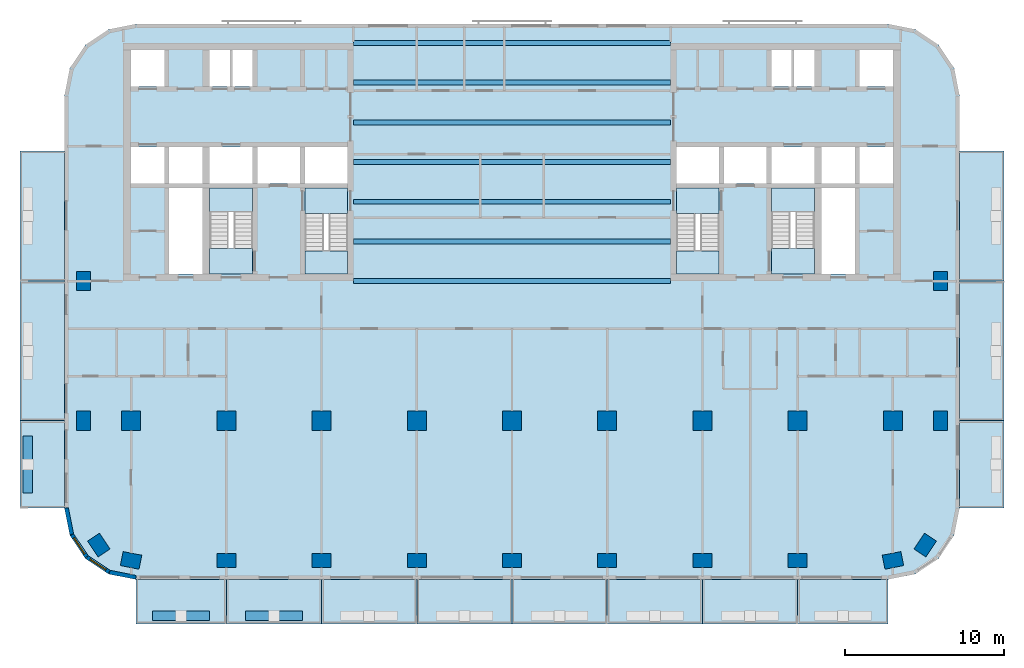
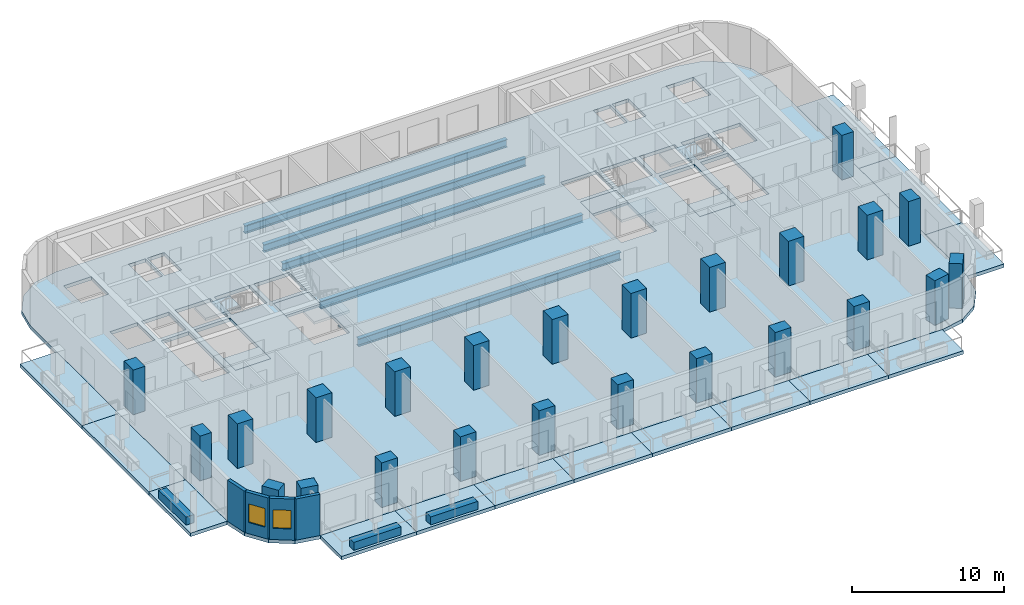
# One storey, part 1 of 12: 24 columns, 23 slabs, 7 beams, 7 walls, 2 windows, 2 openings, 4 elements without a shape of their own.
"""IFC4 building model written with IfcOpenShell, lengths in metres."""

from ifc_helpers import new_model, si_unit, direction, frame, frame_2d, origin, origin_2d, place, context, subcontext, project, spatial, polyline, rectangle, i_section, outline, extrude, material, layer, layer_set, material_profile, profile_set, type_object, element, fill, aggregate, save


model = new_model("IFC4")

# Units and contexts
model_context = context("Model", 3, precision=1e-05, world=origin(), true_north=direction((0.0, 1.0)))
body_context = subcontext(model_context, "Body", "Model", "MODEL_VIEW")
ifc_project = project(units=[si_unit("LENGTHUNIT", "METRE"), si_unit("AREAUNIT", "SQUARE_METRE"), si_unit("VOLUMEUNIT", "CUBIC_METRE"), si_unit("PLANEANGLEUNIT", "RADIAN"), si_unit("MASSUNIT", "GRAM", prefix="KILO")], contexts=[model_context])

# Site, building, storey
site_placement = place(None, origin())
site = spatial("IfcSite", under=ifc_project, at=site_placement, CompositionType="ELEMENT")
building_placement = place(site_placement, origin())
building = spatial("IfcBuilding", under=site, at=building_placement, Name="Torana Hotel and Residences", CompositionType="ELEMENT")
storey_placement = place(building_placement, frame((0.0, 0.0, 156.0)))
storey = spatial("IfcBuildingStorey", under=building, at=storey_placement, Name="L40", CompositionType="ELEMENT", Elevation=156.0)

# Columns
ifc_material_1 = material(Name="Concrete C70/85", Category="concrete")
ifc_material_profile_1 = material_profile(ifc_material_1, rectangle(XDim=1.199951171875, YDim=1.199951171875, at=origin_2d()), Name="RC 1200x1200")
ifc_profile_set_1 = profile_set([ifc_material_profile_1], Name="Concrete C70/85")
column_type_1 = type_object("IfcColumnType", Name="COLUMN RC 1200x1200 C70/85", PredefinedType="COLUMN", material=ifc_profile_set_1)
for number, where, z_axis, x_axis, name in (
    (1, (-24.0, -23.800048828125, 0.0), (0.0, 0.0, 1.0), (1.0, 0.0, 0.0), "Column L40"),
    (2, (-18.0, -23.800048828125, 0.0), (0.0, 0.0, 1.0), (1.0, 0.0, 0.0), "Column L40"),
    (3, (-12.0, -23.800048828125, 0.0), (0.0, 0.0, 1.0), (1.0, 0.0, 0.0), "Column L40"),
    (4, (-6.0, -23.800048828125, 0.0), (0.0, 0.0, 1.0), (1.0, 0.0, 0.0), "Column L40"),
    (5, (0.0, -23.800048828125, 0.0), (0.0, 0.0, 1.0), (1.0, 0.0, 0.0), "Column L40"),
    (6, (6.0, -23.800048828125, 0.0), (0.0, 0.0, 1.0), (1.0, 0.0, 0.0), "Column L40"),
    (7, (12.0, -23.800048828125, 0.0), (0.0, 0.0, 1.0), (1.0, 0.0, 0.0), "Column L40"),
    (8, (18.0, -23.800048828125, 0.0), (0.0, 0.0, 1.0), (1.0, 0.0, 0.0), "Column L40"),
    (9, (24.0, -23.800048828125, 0.0), (0.0, 0.0, 1.0), (1.0, 0.0, 0.0), "Column L40"),
):
    element("IfcColumn", number, at=place(storey_placement, frame(where, z_axis=z_axis, x_axis=x_axis)), inside=storey, type_object=column_type_1, Name=name, PredefinedType="COLUMN", context=body_context, shape_type="SweptSolid", body=[
        extrude(rectangle(XDim=1.199951171875, YDim=1.199951171875, at=origin_2d()), origin(), (0.0, 0.0, 1.0), 3.60009765625),
    ])
ifc_material_2 = material(Name="Concrete C70/85", Category="concrete")
ifc_material_profile_2 = material_profile(ifc_material_2, rectangle(XDim=1.199951171875, YDim=0.89990234375, at=origin_2d()), Name="RC 1200x900")
ifc_profile_set_2 = profile_set([ifc_material_profile_2], Name="Concrete C70/85")
column_type_2 = type_object("IfcColumnType", Name="COLUMN RC 1200x900 C70/85", PredefinedType="COLUMN", material=ifc_profile_set_2)
for number, where, z_axis, x_axis, name in (
    (10, (-27.0, -23.800048828125, 0.0), (0.0, 0.0, 1.0), (0.0, 1.0, 0.0), "Column L40"),
    (11, (-27.0, -15.0, 0.0), (0.0, 0.0, 1.0), (0.0, 1.0, 0.0), "Column L40"),
    (12, (-26.032958984375, -31.633056640625, 0.0), (0.0, 0.0, 1.0), (-0.555584744817, 0.831459915646, 0.0), "Column L40"),
    (13, (-24.0, -32.60009765625, 0.0), (0.0, 0.0, 1.0), (-0.980792089743, 0.195056086032, 0.0), "Column L40"),
    (14, (-18.0, -32.60009765625, 0.0), (0.0, 0.0, 1.0), (1.0, 0.0, 0.0), "Column L40"),
    (15, (-12.0, -32.60009765625, 0.0), (0.0, 0.0, 1.0), (1.0, 0.0, 0.0), "Column L40"),
    (16, (-6.0, -32.60009765625, 0.0), (0.0, 0.0, 1.0), (1.0, 0.0, 0.0), "Column L40"),
    (17, (0.0, -32.60009765625, 0.0), (0.0, 0.0, 1.0), (1.0, 0.0, 0.0), "Column L40"),
    (18, (6.0, -32.60009765625, 0.0), (0.0, 0.0, 1.0), (1.0, 0.0, 0.0), "Column L40"),
    (19, (12.0, -32.60009765625, 0.0), (0.0, 0.0, 1.0), (1.0, 0.0, 0.0), "Column L40"),
    (20, (18.0, -32.60009765625, 0.0), (0.0, 0.0, 1.0), (1.0, 0.0, 0.0), "Column L40"),
    (21, (24.0, -32.60009765625, 0.0), (0.0, 0.0, 1.0), (0.980792089743, 0.195056086032, 0.0), "Column L40"),
    (22, (26.032958984375, -31.633056640625, 0.0), (0.0, 0.0, 1.0), (0.555584744817, 0.831459915646, 0.0), "Column L40"),
    (23, (27.0, -23.800048828125, 0.0), (0.0, 0.0, 1.0), (0.0, 1.0, 0.0), "Column L40"),
    (24, (27.0, -15.0, 0.0), (0.0, 0.0, 1.0), (0.0, 1.0, 0.0), "Column L40"),
):
    element("IfcColumn", number, at=place(storey_placement, frame(where, z_axis=z_axis, x_axis=x_axis)), inside=storey, type_object=column_type_2, Name=name, PredefinedType="COLUMN", context=body_context, shape_type="SweptSolid", body=[
        extrude(rectangle(XDim=1.199951171875, YDim=0.89990234375, at=origin_2d()), origin(), (0.0, 0.0, 1.0), 3.60009765625),
    ])

# Beams
ifc_material_3 = material(Name="Steel S355", Category="steel")
ifc_material_profile_3 = material_profile(ifc_material_3, i_section(OverallWidth=0.311279296875, OverallDepth=0.6357421875, WebThickness=0.018310546875, FlangeThickness=0.031494140625, FilletRadius=0.0166015625, at=origin_2d()), Name="610x305x238 UB")
ifc_profile_set_3 = profile_set([ifc_material_profile_3], Name="Steel S355")
beam_type = type_object("IfcBeamType", Name="STEEL GIRDER 610x305x238 UB", PredefinedType="BEAM", material=ifc_profile_set_3)
for number, where, z_axis, x_axis, name in (
    (25, (-10.0, -15.0, -0.597900390625), (1.0, 0.0, 0.0), (0.0, 1.0, 0.0), "Floor girder"),
    (26, (-10.0, -12.5, -0.597900390625), (1.0, 0.0, 0.0), (0.0, 1.0, 0.0), "Floor girder"),
    (27, (-10.0, -10.0, -0.597900390625), (1.0, 0.0, 0.0), (0.0, 1.0, 0.0), "Floor girder"),
    (28, (-10.0, -7.5, -0.597900390625), (1.0, 0.0, 0.0), (0.0, 1.0, 0.0), "Floor girder"),
    (29, (-10.0, -5.0, -0.597900390625), (1.0, 0.0, 0.0), (0.0, 1.0, 0.0), "Floor girder"),
    (30, (-10.0, -2.5, -0.597900390625), (1.0, 0.0, 0.0), (0.0, 1.0, 0.0), "Floor girder"),
    (31, (-10.0, 0.0, -0.597900390625), (1.0, 0.0, 0.0), (0.0, 1.0, 0.0), "Floor girder"),
):
    element("IfcBeam", number, at=place(storey_placement, frame(where, z_axis=z_axis, x_axis=x_axis)), inside=storey, type_object=beam_type, Name=name, PredefinedType="BEAM", context=body_context, shape_type="SweptSolid", body=[
        extrude(i_section(OverallWidth=0.311279296875, OverallDepth=0.6357421875, WebThickness=0.018310546875, FlangeThickness=0.031494140625, FilletRadius=0.0166015625, at=origin_2d()), origin(), (0.0, 0.0, 1.0), 20.0),
    ])

# Slabs
ifc_material_4 = material(Name="Concrete C40/50", Category="concrete")
ifc_layer_1 = layer(ifc_material_4, 0.280029296875)
ifc_layer_set_1 = layer_set([ifc_layer_1], Name="BAL1 BALCONY SLAB 280")
slab_type_1 = type_object("IfcSlabType", Name="BAL1 BALCONY SLAB 280", PredefinedType="USERDEFINED", material=ifc_layer_set_1)
slab_1_placement = place(storey_placement, frame((0.0, 0.0, -0.280029296875)))
element("IfcSlab", 32, at=slab_1_placement, inside=storey, type_object=slab_type_1, Name="Balcony 01", ObjectType="BALCONY", PredefinedType="USERDEFINED", context=body_context, shape_type="SweptSolid", body=[
    extrude(outline(polyline([(-23.699951171875, -36.60009765625), (-18.0, -36.60009765625), (-18.0, -33.800048828125), (-23.699951171875, -33.800048828125), (-23.699951171875, -36.60009765625)])), origin(), (0.0, 0.0, 1.0), 0.280029296875),
])
slab_2_placement = place(storey_placement, frame((0.0, 0.0, -0.280029296875)))
element("IfcSlab", 33, at=slab_2_placement, inside=storey, type_object=slab_type_1, Name="Balcony 02", ObjectType="BALCONY", PredefinedType="USERDEFINED", context=body_context, shape_type="SweptSolid", body=[
    extrude(outline(polyline([(-18.0, -36.60009765625), (-12.0, -36.60009765625), (-12.0, -33.800048828125), (-18.0, -33.800048828125), (-18.0, -36.60009765625)])), origin(), (0.0, 0.0, 1.0), 0.280029296875),
])
slab_3_placement = place(storey_placement, frame((0.0, 0.0, -0.280029296875)))
element("IfcSlab", 34, at=slab_3_placement, inside=storey, type_object=slab_type_1, Name="Balcony 03", ObjectType="BALCONY", PredefinedType="USERDEFINED", context=body_context, shape_type="SweptSolid", body=[
    extrude(outline(polyline([(-12.0, -36.60009765625), (-6.0, -36.60009765625), (-6.0, -33.800048828125), (-12.0, -33.800048828125), (-12.0, -36.60009765625)])), origin(), (0.0, 0.0, 1.0), 0.280029296875),
])
slab_4_placement = place(storey_placement, frame((0.0, 0.0, -0.280029296875)))
element("IfcSlab", 35, at=slab_4_placement, inside=storey, type_object=slab_type_1, Name="Balcony 04", ObjectType="BALCONY", PredefinedType="USERDEFINED", context=body_context, shape_type="SweptSolid", body=[
    extrude(outline(polyline([(-6.0, -36.60009765625), (0.0, -36.60009765625), (0.0, -33.800048828125), (-6.0, -33.800048828125), (-6.0, -36.60009765625)])), origin(), (0.0, 0.0, 1.0), 0.280029296875),
])
slab_5_placement = place(storey_placement, frame((0.0, 0.0, -0.280029296875)))
element("IfcSlab", 36, at=slab_5_placement, inside=storey, type_object=slab_type_1, Name="Balcony 05", ObjectType="BALCONY", PredefinedType="USERDEFINED", context=body_context, shape_type="SweptSolid", body=[
    extrude(outline(polyline([(0.0, -36.60009765625), (6.0, -36.60009765625), (6.0, -33.800048828125), (0.0, -33.800048828125), (0.0, -36.60009765625)])), origin(), (0.0, 0.0, 1.0), 0.280029296875),
])
slab_6_placement = place(storey_placement, frame((0.0, 0.0, -0.280029296875)))
element("IfcSlab", 37, at=slab_6_placement, inside=storey, type_object=slab_type_1, Name="Balcony 06", ObjectType="BALCONY", PredefinedType="USERDEFINED", context=body_context, shape_type="SweptSolid", body=[
    extrude(outline(polyline([(6.0, -36.60009765625), (12.0, -36.60009765625), (12.0, -33.800048828125), (6.0, -33.800048828125), (6.0, -36.60009765625)])), origin(), (0.0, 0.0, 1.0), 0.280029296875),
])
slab_7_placement = place(storey_placement, frame((0.0, 0.0, -0.280029296875)))
element("IfcSlab", 38, at=slab_7_placement, inside=storey, type_object=slab_type_1, Name="Balcony 07", ObjectType="BALCONY", PredefinedType="USERDEFINED", context=body_context, shape_type="SweptSolid", body=[
    extrude(outline(polyline([(12.0, -36.60009765625), (18.0, -36.60009765625), (18.0, -33.800048828125), (12.0, -33.800048828125), (12.0, -36.60009765625)])), origin(), (0.0, 0.0, 1.0), 0.280029296875),
])
slab_8_placement = place(storey_placement, frame((0.0, 0.0, -0.280029296875)))
element("IfcSlab", 39, at=slab_8_placement, inside=storey, type_object=slab_type_1, Name="Balcony 08", ObjectType="BALCONY", PredefinedType="USERDEFINED", context=body_context, shape_type="SweptSolid", body=[
    extrude(outline(polyline([(18.0, -36.60009765625), (23.699951171875, -36.60009765625), (23.699951171875, -33.800048828125), (18.0, -33.800048828125), (18.0, -36.60009765625)])), origin(), (0.0, 0.0, 1.0), 0.280029296875),
])
slab_9_placement = place(storey_placement, frame((0.0, 0.0, -0.280029296875)))
element("IfcSlab", 40, at=slab_9_placement, inside=storey, type_object=slab_type_1, Name="Balcony 09", ObjectType="BALCONY", PredefinedType="USERDEFINED", context=body_context, shape_type="SweptSolid", body=[
    extrude(outline(polyline([(-31.0, -29.300048828125), (-28.199951171875, -29.300048828125), (-28.199951171875, -23.800048828125), (-31.0, -23.800048828125), (-31.0, -29.300048828125)])), origin(), (0.0, 0.0, 1.0), 0.280029296875),
])
slab_10_placement = place(storey_placement, frame((0.0, 0.0, -0.280029296875)))
element("IfcSlab", 41, at=slab_10_placement, inside=storey, type_object=slab_type_1, Name="Balcony 10", ObjectType="BALCONY", PredefinedType="USERDEFINED", context=body_context, shape_type="SweptSolid", body=[
    extrude(outline(polyline([(-31.0, -23.800048828125), (-28.199951171875, -23.800048828125), (-28.199951171875, -15.0), (-31.0, -15.0), (-31.0, -23.800048828125)])), origin(), (0.0, 0.0, 1.0), 0.280029296875),
])
slab_11_placement = place(storey_placement, frame((0.0, 0.0, -0.280029296875)))
element("IfcSlab", 42, at=slab_11_placement, inside=storey, type_object=slab_type_1, Name="Balcony 11", ObjectType="BALCONY", PredefinedType="USERDEFINED", context=body_context, shape_type="SweptSolid", body=[
    extrude(outline(polyline([(-31.0, -15.0), (-28.199951171875, -15.0), (-28.199951171875, -6.800048828125), (-31.0, -6.800048828125), (-31.0, -15.0)])), origin(), (0.0, 0.0, 1.0), 0.280029296875),
])
slab_12_placement = place(storey_placement, frame((0.0, 0.0, -0.280029296875)))
element("IfcSlab", 43, at=slab_12_placement, inside=storey, type_object=slab_type_1, Name="Balcony 12", ObjectType="BALCONY", PredefinedType="USERDEFINED", context=body_context, shape_type="SweptSolid", body=[
    extrude(outline(polyline([(28.199951171875, -29.300048828125), (31.0, -29.300048828125), (31.0, -23.800048828125), (28.199951171875, -23.800048828125), (28.199951171875, -29.300048828125)])), origin(), (0.0, 0.0, 1.0), 0.280029296875),
])
slab_13_placement = place(storey_placement, frame((0.0, 0.0, -0.280029296875)))
element("IfcSlab", 44, at=slab_13_placement, inside=storey, type_object=slab_type_1, Name="Balcony 13", ObjectType="BALCONY", PredefinedType="USERDEFINED", context=body_context, shape_type="SweptSolid", body=[
    extrude(outline(polyline([(28.199951171875, -23.800048828125), (31.0, -23.800048828125), (31.0, -15.0), (28.199951171875, -15.0), (28.199951171875, -23.800048828125)])), origin(), (0.0, 0.0, 1.0), 0.280029296875),
])
slab_14_placement = place(storey_placement, frame((0.0, 0.0, -0.280029296875)))
element("IfcSlab", 45, at=slab_14_placement, inside=storey, type_object=slab_type_1, Name="Balcony 14", ObjectType="BALCONY", PredefinedType="USERDEFINED", context=body_context, shape_type="SweptSolid", body=[
    extrude(outline(polyline([(28.199951171875, -15.0), (31.0, -15.0), (31.0, -6.800048828125), (28.199951171875, -6.800048828125), (28.199951171875, -15.0)])), origin(), (0.0, 0.0, 1.0), 0.280029296875),
])
ifc_material_5 = material(Name="Concrete C40/50", Category="concrete")
ifc_layer_2 = layer(ifc_material_5, 0.280029296875)
ifc_layer_set_2 = layer_set([ifc_layer_2], Name="FLOOR SLAB PT 280")
slab_type_2 = type_object("IfcSlabType", Name="FLOOR SLAB PT 280", PredefinedType="FLOOR", material=ifc_layer_set_2)
slab_15_placement = place(storey_placement, frame((0.0, 0.0, -0.280029296875)))
element("IfcSlab", 46, at=slab_15_placement, inside=storey, type_object=slab_type_2, Name="Floor slab", PredefinedType="FLOOR", context=body_context, shape_type="SweptSolid", body=[
    extrude(outline(polyline([(28.199951171875, -3.300048828125), (27.857421875, -1.577880859375), (26.882080078125, -0.117919921875), (25.422119140625, 0.857421875), (23.699951171875, 1.199951171875), (-23.699951171875, 1.199951171875), (-25.422119140625, 0.857421875), (-26.882080078125, -0.117919921875), (-27.857421875, -1.577880859375), (-28.199951171875, -3.300048828125), (-28.199951171875, -29.300048828125), (-27.857421875, -31.022216796875), (-26.882080078125, -32.48193359375), (-25.422119140625, -33.45751953125), (-23.699951171875, -33.800048828125), (23.699951171875, -33.800048828125), (25.422119140625, -33.45751953125), (26.882080078125, -32.48193359375), (27.857421875, -31.022216796875), (28.199951171875, -29.300048828125), (28.199951171875, -3.300048828125)]), holes=[polyline([(-13.050048828125, -14.550048828125), (-10.35009765625, -14.550048828125), (-10.35009765625, -9.14990234375), (-13.050048828125, -9.14990234375), (-13.050048828125, -14.550048828125)]), polyline([(-19.050048828125, -14.550048828125), (-16.35009765625, -14.550048828125), (-16.35009765625, -9.14990234375), (-19.050048828125, -9.14990234375), (-19.050048828125, -14.550048828125)]), polyline([(-17.625, -2.75), (-16.35009765625, -2.75), (-16.35009765625, -0.449951171875), (-17.625, -0.449951171875), (-17.625, -2.75)]), polyline([(-19.050048828125, -2.75), (-17.77490234375, -2.75), (-17.77490234375, -0.449951171875), (-19.050048828125, -0.449951171875), (-19.050048828125, -2.75)]), polyline([(-21.60009765625, -8.85009765625), (-19.5, -8.85009765625), (-19.5, -6.550048828125), (-21.60009765625, -6.550048828125), (-21.60009765625, -8.85009765625)]), polyline([(-24.0, -2.75), (-21.89990234375, -2.75), (-21.89990234375, -0.449951171875), (-24.0, -0.449951171875), (-24.0, -2.75)]), polyline([(-24.0, -8.85009765625), (-21.89990234375, -8.85009765625), (-21.89990234375, -6.550048828125), (-24.0, -6.550048828125), (-24.0, -8.85009765625)]), polyline([(-13.050048828125, -8.85009765625), (-10.35009765625, -8.85009765625), (-10.35009765625, -6.550048828125), (-13.050048828125, -6.550048828125), (-13.050048828125, -8.85009765625)]), polyline([(-16.050048828125, -8.85009765625), (-13.35009765625, -8.85009765625), (-13.35009765625, -6.550048828125), (-16.050048828125, -6.550048828125), (-16.050048828125, -8.85009765625)]), polyline([(-19.050048828125, -8.85009765625), (-16.35009765625, -8.85009765625), (-16.35009765625, -6.550048828125), (-19.050048828125, -6.550048828125), (-19.050048828125, -8.85009765625)]), polyline([(-21.60009765625, -14.550048828125), (-19.5, -14.550048828125), (-19.5, -9.14990234375), (-21.60009765625, -9.14990234375), (-21.60009765625, -14.550048828125)]), polyline([(10.35009765625, -14.550048828125), (13.050048828125, -14.550048828125), (13.050048828125, -9.14990234375), (10.35009765625, -9.14990234375), (10.35009765625, -14.550048828125)]), polyline([(16.35009765625, -14.550048828125), (19.050048828125, -14.550048828125), (19.050048828125, -9.14990234375), (16.35009765625, -9.14990234375), (16.35009765625, -14.550048828125)]), polyline([(16.35009765625, -2.75), (17.625, -2.75), (17.625, -0.449951171875), (16.35009765625, -0.449951171875), (16.35009765625, -2.75)]), polyline([(17.77490234375, -2.75), (19.050048828125, -2.75), (19.050048828125, -0.449951171875), (17.77490234375, -0.449951171875), (17.77490234375, -2.75)]), polyline([(19.5, -8.85009765625), (21.60009765625, -8.85009765625), (21.60009765625, -6.550048828125), (19.5, -6.550048828125), (19.5, -8.85009765625)]), polyline([(21.89990234375, -2.75), (24.0, -2.75), (24.0, -0.449951171875), (21.89990234375, -0.449951171875), (21.89990234375, -2.75)]), polyline([(21.89990234375, -8.85009765625), (24.0, -8.85009765625), (24.0, -6.550048828125), (21.89990234375, -6.550048828125), (21.89990234375, -8.85009765625)]), polyline([(10.35009765625, -8.85009765625), (13.050048828125, -8.85009765625), (13.050048828125, -6.550048828125), (10.35009765625, -6.550048828125), (10.35009765625, -8.85009765625)]), polyline([(13.35009765625, -8.85009765625), (16.050048828125, -8.85009765625), (16.050048828125, -6.550048828125), (13.35009765625, -6.550048828125), (13.35009765625, -8.85009765625)]), polyline([(16.35009765625, -8.85009765625), (19.050048828125, -8.85009765625), (19.050048828125, -6.550048828125), (16.35009765625, -6.550048828125), (16.35009765625, -8.85009765625)]), polyline([(19.5, -14.550048828125), (21.60009765625, -14.550048828125), (21.60009765625, -9.14990234375), (19.5, -9.14990234375), (19.5, -14.550048828125)])]), origin(), (0.0, 0.0, 1.0), 0.280029296875),
])

# Stair, slabs
ifc_material_6 = material(Name="Concrete C40/50 precast", Category="concrete")
stair_type_1 = type_object("IfcStairType", Name="STAIR ST1 HALF TURN 1200", PredefinedType="HALF_TURN_STAIR", material=ifc_material_6)
stair_1_placement = place(storey_placement, origin())
stair_1 = element("IfcStair", 47, at=stair_1_placement, inside=storey, type_object=stair_type_1, Name="Stair ST1 L40", PredefinedType="HALF_TURN_STAIR")
ifc_material_7 = material(Name="Concrete C40/50 precast", Category="concrete")
ifc_layer_3 = layer(ifc_material_7, 0.199951171875)
ifc_layer_set_3 = layer_set([ifc_layer_3], Name="STAIR LANDING 200")
slab_type_3 = type_object("IfcSlabType", Name="STAIR LANDING 200", PredefinedType="LANDING", material=ifc_layer_set_3)
slab_16_placement = place(storey_placement, frame((0.0, 0.0, 1.60009765625)))
slab_16 = element("IfcSlab", 48, at=slab_16_placement, type_object=slab_type_3, Name="ST1 landing 1", PredefinedType="LANDING", context=body_context, shape_type="SweptSolid", body=[
    extrude(outline(polyline([(-13.050048828125, -14.550048828125), (-10.35009765625, -14.550048828125), (-10.35009765625, -13.090087890625), (-13.050048828125, -13.090087890625), (-13.050048828125, -14.550048828125)])), origin(), (0.0, 0.0, 1.0), 0.199951171875),
])
slab_17_placement = place(storey_placement, frame((0.0, 0.0, -0.199951171875)))
slab_17 = element("IfcSlab", 49, at=slab_17_placement, type_object=slab_type_3, Name="ST1 landing 2", PredefinedType="LANDING", context=body_context, shape_type="SweptSolid", body=[
    extrude(outline(polyline([(-13.050048828125, -10.75), (-10.35009765625, -10.75), (-10.35009765625, -9.14990234375), (-13.050048828125, -9.14990234375), (-13.050048828125, -10.75)])), origin(), (0.0, 0.0, 1.0), 0.199951171875),
])
aggregate(stair_1, [slab_16, slab_17])

ifc_material_8 = material(Name="Concrete C40/50 precast", Category="concrete")
stair_type_2 = type_object("IfcStairType", Name="STAIR ST2 HALF TURN 1200", PredefinedType="HALF_TURN_STAIR", material=ifc_material_8)
stair_2_placement = place(storey_placement, origin())
stair_2 = element("IfcStair", 50, at=stair_2_placement, inside=storey, type_object=stair_type_2, Name="Stair ST2 L40", PredefinedType="HALF_TURN_STAIR")
slab_18_placement = place(storey_placement, frame((0.0, 0.0, 1.60009765625)))
slab_18 = element("IfcSlab", 51, at=slab_18_placement, type_object=slab_type_3, Name="ST2 landing 1", PredefinedType="LANDING", context=body_context, shape_type="SweptSolid", body=[
    extrude(outline(polyline([(-19.050048828125, -10.610107421875), (-16.35009765625, -10.610107421875), (-16.35009765625, -9.14990234375), (-19.050048828125, -9.14990234375), (-19.050048828125, -10.610107421875)])), origin(), (0.0, 0.0, 1.0), 0.199951171875),
])
slab_19_placement = place(storey_placement, frame((0.0, 0.0, -0.199951171875)))
slab_19 = element("IfcSlab", 52, at=slab_19_placement, type_object=slab_type_3, Name="ST2 landing 2", PredefinedType="LANDING", context=body_context, shape_type="SweptSolid", body=[
    extrude(outline(polyline([(-19.050048828125, -14.550048828125), (-16.35009765625, -14.550048828125), (-16.35009765625, -12.949951171875), (-19.050048828125, -12.949951171875), (-19.050048828125, -14.550048828125)])), origin(), (0.0, 0.0, 1.0), 0.199951171875),
])
aggregate(stair_2, [slab_18, slab_19])

ifc_material_9 = material(Name="Concrete C40/50 precast", Category="concrete")
stair_type_3 = type_object("IfcStairType", Name="STAIR ST3 HALF TURN 1200", PredefinedType="HALF_TURN_STAIR", material=ifc_material_9)
stair_3_placement = place(storey_placement, origin())
stair_3 = element("IfcStair", 53, at=stair_3_placement, inside=storey, type_object=stair_type_3, Name="Stair ST3 L40", PredefinedType="HALF_TURN_STAIR")
slab_20_placement = place(storey_placement, frame((0.0, 0.0, 1.60009765625)))
slab_20 = element("IfcSlab", 54, at=slab_20_placement, type_object=slab_type_3, Name="ST3 landing 1", PredefinedType="LANDING", context=body_context, shape_type="SweptSolid", body=[
    extrude(outline(polyline([(10.35009765625, -14.550048828125), (13.050048828125, -14.550048828125), (13.050048828125, -13.090087890625), (10.35009765625, -13.090087890625), (10.35009765625, -14.550048828125)])), origin(), (0.0, 0.0, 1.0), 0.199951171875),
])
slab_21_placement = place(storey_placement, frame((0.0, 0.0, -0.199951171875)))
slab_21 = element("IfcSlab", 55, at=slab_21_placement, type_object=slab_type_3, Name="ST3 landing 2", PredefinedType="LANDING", context=body_context, shape_type="SweptSolid", body=[
    extrude(outline(polyline([(10.35009765625, -10.75), (13.050048828125, -10.75), (13.050048828125, -9.14990234375), (10.35009765625, -9.14990234375), (10.35009765625, -10.75)])), origin(), (0.0, 0.0, 1.0), 0.199951171875),
])
aggregate(stair_3, [slab_20, slab_21])

ifc_material_10 = material(Name="Concrete C40/50 precast", Category="concrete")
stair_type_4 = type_object("IfcStairType", Name="STAIR ST4 HALF TURN 1200", PredefinedType="HALF_TURN_STAIR", material=ifc_material_10)
stair_4_placement = place(storey_placement, origin())
stair_4 = element("IfcStair", 56, at=stair_4_placement, inside=storey, type_object=stair_type_4, Name="Stair ST4 L40", PredefinedType="HALF_TURN_STAIR")
slab_22_placement = place(storey_placement, frame((0.0, 0.0, 1.60009765625)))
slab_22 = element("IfcSlab", 57, at=slab_22_placement, type_object=slab_type_3, Name="ST4 landing 1", PredefinedType="LANDING", context=body_context, shape_type="SweptSolid", body=[
    extrude(outline(polyline([(16.35009765625, -10.610107421875), (19.050048828125, -10.610107421875), (19.050048828125, -9.14990234375), (16.35009765625, -9.14990234375), (16.35009765625, -10.610107421875)])), origin(), (0.0, 0.0, 1.0), 0.199951171875),
])
slab_23_placement = place(storey_placement, frame((0.0, 0.0, -0.199951171875)))
slab_23 = element("IfcSlab", 58, at=slab_23_placement, type_object=slab_type_3, Name="ST4 landing 2", PredefinedType="LANDING", context=body_context, shape_type="SweptSolid", body=[
    extrude(outline(polyline([(16.35009765625, -14.550048828125), (19.050048828125, -14.550048828125), (19.050048828125, -12.949951171875), (16.35009765625, -12.949951171875), (16.35009765625, -14.550048828125)])), origin(), (0.0, 0.0, 1.0), 0.199951171875),
])
aggregate(stair_4, [slab_22, slab_23])

# Wall
ifc_material_11 = material(Name="Black aluminium composite panel", Category="aluminium")
ifc_layer_4 = layer(ifc_material_11, 0.00390625, Name="Cladding", Category="cladding")
ifc_material_12 = material(Name="Ventilated air cavity")
ifc_layer_5 = layer(ifc_material_12, 0.0400390625, Name="Ventilated cavity", Category="cavity")
ifc_material_13 = material(Name="Mineral wool insulation")
ifc_layer_6 = layer(ifc_material_13, 0.090087890625, Name="Insulation", Category="insulation")
ifc_material_14 = material(Name="Steel S280GD", Category="steel")
ifc_layer_7 = layer(ifc_material_14, 0.092041015625, Name="Steel stud frame", Category="structure")
ifc_material_15 = material(Name="Fire rated plasterboard")
ifc_layer_8 = layer(ifc_material_15, 0.011962890625, Name="Inner board", Category="finish")
ifc_layer_9 = layer(ifc_material_15, 0.011962890625, Name="Second board", Category="finish")
ifc_layer_set_4 = layer_set([ifc_layer_4, ifc_layer_5, ifc_layer_6, ifc_layer_7, ifc_layer_8, ifc_layer_9], Name="EW1 EXTERNAL WALL BLACK METAL CLAD 250")
wall_type_1 = type_object("IfcWallType", Name="EW1 EXTERNAL WALL BLACK METAL CLAD 250", PredefinedType="SOLIDWALL", material=ifc_layer_set_4)
wall_1_placement = place(storey_placement, frame((-28.072509765625, -29.2998046875, 0.0), z_axis=(0.0, 0.0, 1.0), x_axis=(0.194999110559, -0.980803419081, 0.0)))
element("IfcWall", 59, at=wall_1_placement, inside=storey, type_object=wall_type_1, Name="External wall L40 e0.10", PredefinedType="SOLIDWALL", context=body_context, shape_type="SweptSolid", body=[
    extrude(rectangle(XDim=1.681396484375, YDim=0.25, at=frame_2d((0.8408203125, 0.0))), origin(), (0.0, 0.0, 1.0), 3.320068359375),
])

# Wall, opening, window
wall_2_placement = place(storey_placement, frame((-27.725830078125, -30.993896484375, 0.0), z_axis=(0.0, 0.0, 1.0), x_axis=(0.55555029066, -0.831482937015, 0.0)))
wall_2 = element("IfcWall", 60, at=wall_2_placement, inside=storey, type_object=wall_type_1, Name="External wall L40 e0.11", PredefinedType="SOLIDWALL", context=body_context, shape_type="SweptSolid", body=[
    extrude(rectangle(XDim=1.65625, YDim=0.25, at=frame_2d((0.828125, 0.0))), origin(), (0.0, 0.0, 1.0), 3.320068359375),
])
opening_1_placement = place(wall_2_placement, frame((0.228271484375, 0.0, 0.89990234375)))
opening_1 = element("IfcOpeningElement", 61, at=opening_1_placement, cuts=wall_2, Name="Opening W5", PredefinedType="OPENING", context=body_context, shape_type="SweptSolid", body=[
    extrude(rectangle(XDim=1.199951171875, YDim=1.5, at=frame_2d((0.60009765625, 0.75))), frame((0.0, 0.135009765625, 0.0), z_axis=(0.0, -1.0, 0.0), x_axis=(1.0, 0.0, 0.0)), (0.0, 0.0, 1.0), 0.27001953125),
])
ifc_material_16 = material(Name="Dark glass in black aluminium frame", Category="aluminium")
window_type = type_object("IfcWindowType", Name="W5 CORNER FACET WINDOW 1200x1500", PartitioningType="SINGLE_PANEL", PredefinedType="WINDOW", material=ifc_material_16)
window_1_placement = place(opening_1_placement, origin())
window_1 = element("IfcWindow", 62, at=window_1_placement, inside=storey, type_object=window_type, Name="Window L40 e0.11", OverallHeight=1.5, OverallWidth=1.199951171875, PartitioningType="SINGLE_PANEL", PredefinedType="WINDOW", context=body_context, shape_type="SweptSolid", body=[
    extrude(rectangle(XDim=1.199951171875, YDim=1.5, at=frame_2d((0.60009765625, 0.75))), frame((0.0, 0.030029296875, 0.0), z_axis=(0.0, -1.0, 0.0), x_axis=(1.0, 0.0, 0.0)), (0.0, 0.0, 1.0), 0.06005859375),
])
fill(opening_1, window_1)

wall_3_placement = place(storey_placement, frame((-26.771240234375, -32.40576171875, 0.0), z_axis=(0.0, 0.0, 1.0), x_axis=(0.831482937015, -0.55555029066, 0.0)))
wall_3 = element("IfcWall", 63, at=wall_3_placement, inside=storey, type_object=wall_type_1, Name="External wall L40 e0.12", PredefinedType="SOLIDWALL", context=body_context, shape_type="SweptSolid", body=[
    extrude(rectangle(XDim=1.65625, YDim=0.25, at=frame_2d((0.828125, 0.0))), origin(), (0.0, 0.0, 1.0), 3.320068359375),
])
opening_2_placement = place(wall_3_placement, frame((0.228271484375, 0.0, 0.89990234375)))
opening_2 = element("IfcOpeningElement", 64, at=opening_2_placement, cuts=wall_3, Name="Opening W5", PredefinedType="OPENING", context=body_context, shape_type="SweptSolid", body=[
    extrude(rectangle(XDim=1.199951171875, YDim=1.5, at=frame_2d((0.60009765625, 0.75))), frame((0.0, 0.135009765625, 0.0), z_axis=(0.0, -1.0, 0.0), x_axis=(1.0, 0.0, 0.0)), (0.0, 0.0, 1.0), 0.27001953125),
])
window_2_placement = place(opening_2_placement, origin())
window_2 = element("IfcWindow", 65, at=window_2_placement, inside=storey, type_object=window_type, Name="Window L40 e0.12", OverallHeight=1.5, OverallWidth=1.199951171875, PartitioningType="SINGLE_PANEL", PredefinedType="WINDOW", context=body_context, shape_type="SweptSolid", body=[
    extrude(rectangle(XDim=1.199951171875, YDim=1.5, at=frame_2d((0.60009765625, 0.75))), frame((0.0, 0.030029296875, 0.0), z_axis=(0.0, -1.0, 0.0), x_axis=(1.0, 0.0, 0.0)), (0.0, 0.0, 1.0), 0.06005859375),
])
fill(opening_2, window_2)

# Walls
wall_4_placement = place(storey_placement, frame((-25.348876953125, -33.344482421875, 0.0), z_axis=(0.0, 0.0, 1.0), x_axis=(0.980775640221, -0.19513878023, 0.0)))
element("IfcWall", 66, at=wall_4_placement, inside=storey, type_object=wall_type_1, Name="External wall L40 e0.13", PredefinedType="SOLIDWALL", context=body_context, shape_type="SweptSolid", body=[
    extrude(rectangle(XDim=1.681396484375, YDim=0.25, at=frame_2d((0.8408203125, 0.0))), origin(), (0.0, 0.0, 1.0), 3.320068359375),
])
ifc_material_17 = material(Name="Concrete C40/50 precast", Category="concrete")
ifc_layer_10 = layer(ifc_material_17, 0.10009765625, Name="Planter shell", Category="structure")
ifc_material_18 = material(Name="Root resistant membrane")
ifc_layer_11 = layer(ifc_material_18, 0.00390625, Name="Waterproofing membrane", Category="membrane")
ifc_material_19 = material(Name="Drainage board with filter fleece")
ifc_layer_12 = layer(ifc_material_19, 0.02001953125, Name="Drainage board", Category="drainage")
ifc_material_20 = material(Name="Growing medium")
ifc_layer_13 = layer(ifc_material_20, 0.47607421875, Name="Planting substrate", Category="soil")
ifc_layer_set_5 = layer_set([ifc_layer_10, ifc_layer_11, ifc_layer_12, ifc_layer_13], Name="PL1 BALCONY PLANTER 600")
wall_type_2 = type_object("IfcWallType", Name="PL1 BALCONY PLANTER 600", PredefinedType="USERDEFINED", material=ifc_layer_set_5)
wall_5_placement = place(storey_placement, frame((-19.050048828125, -36.10009765625, 0.0), z_axis=(0.0, 0.0, 1.0), x_axis=(-1.0, 0.0, 0.0)))
element("IfcWall", 67, at=wall_5_placement, inside=storey, type_object=wall_type_2, Name="Planter 01", ObjectType="PLANTER", PredefinedType="USERDEFINED", context=body_context, shape_type="SweptSolid", body=[
    extrude(rectangle(XDim=3.599853515625, YDim=0.60009765625, at=frame_2d((1.7998046875, 0.0))), origin(), (0.0, 0.0, 1.0), 0.64990234375),
])
for number, where, z_axis, x_axis, name in (
    (68, (-13.199951171875, -36.10009765625, 0.0), (0.0, 0.0, 1.0), (-1.0, 0.0, 0.0), "Planter 02"),
    (69, (-30.5, -28.35009765625, 0.0), (0.0, 0.0, 1.0), (0.0, 1.0, 0.0), "Planter 09"),
):
    element("IfcWall", number, at=place(storey_placement, frame(where, z_axis=z_axis, x_axis=x_axis)), inside=storey, type_object=wall_type_2, Name=name, ObjectType="PLANTER", PredefinedType="USERDEFINED", context=body_context, shape_type="SweptSolid", body=[
        extrude(rectangle(XDim=3.60009765625, YDim=0.60009765625, at=frame_2d((1.800048828125, 0.0))), origin(), (0.0, 0.0, 1.0), 0.64990234375),
    ])

save(model, "model.ifc")
